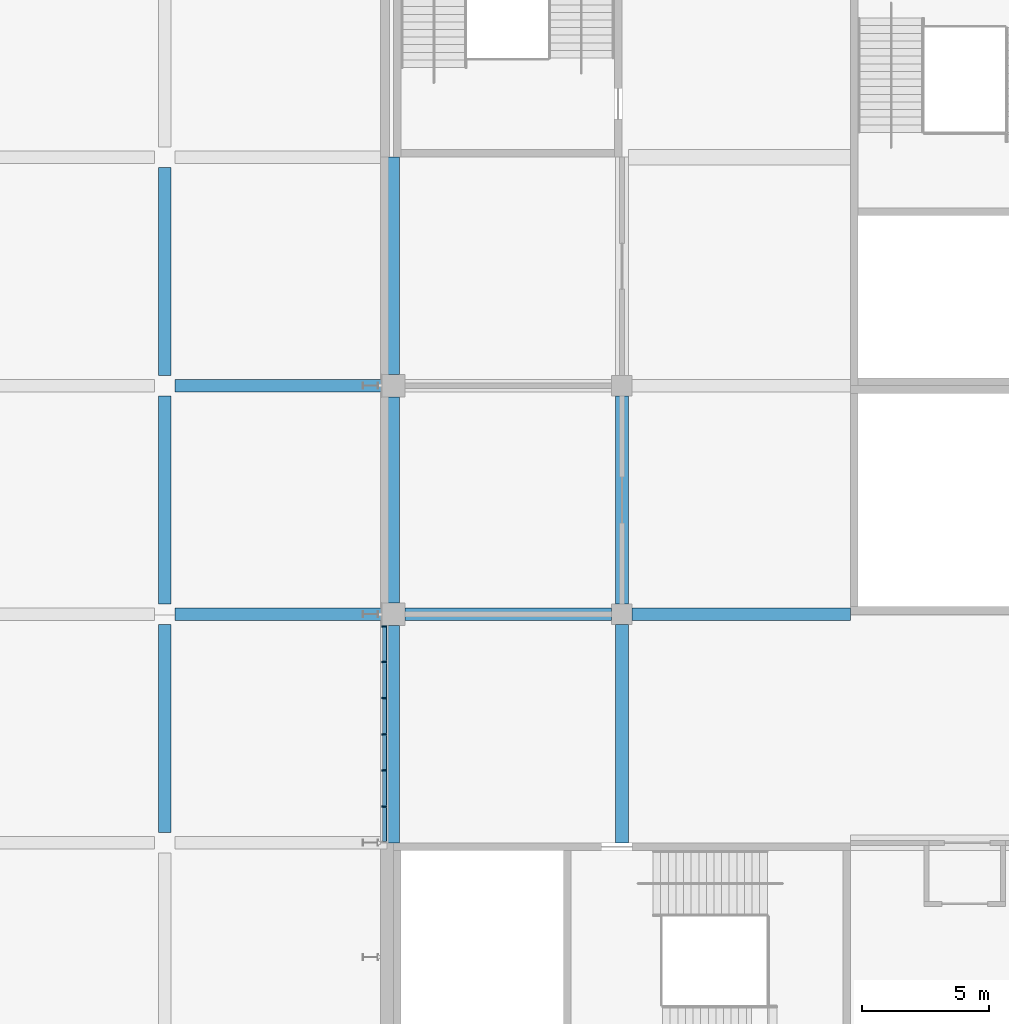
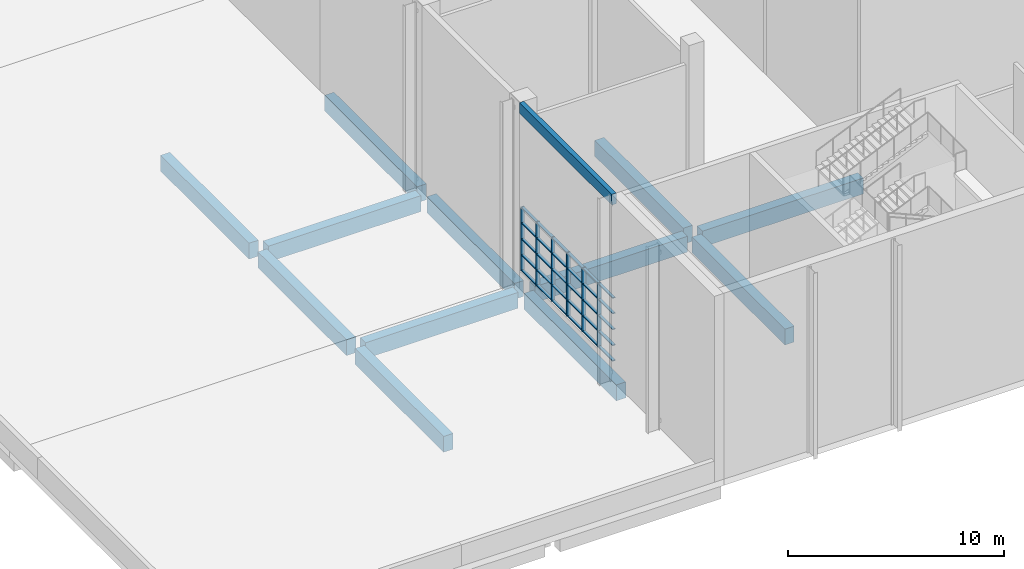
# One storey, part 15 of 182: 36 members, 13 beams, 1 element without a shape of its own.
"""IFC4 building model written with IfcOpenShell, lengths in metres."""

import ifcopenshell
import ifcopenshell.guid

model = None  # the IFC model being written
_history = None  # IfcOwnerHistory: only IFC2X3 demands one
_inside = {}  # id of a spatial element -> (the spatial element, [elements in it])
_under = {}  # id of a project, library or spatial element -> (it, [spatial elements below it])
_declared = {}  # id of a project -> (the project, [libraries it declares])
_typed = {}  # id of a type object -> (the type object, [elements of that type])
_made_of = {}  # id of a material, layer set ... -> (it, [elements and type objects made of it])


def new_model(schema):
    """Start an empty IFC model of exactly this schema.

    Asked for "IFC4X3", IfcOpenShell would pick the latest addendum, in which some entities
    have other attributes; the version numbers below select the first issue.
    IFC2X3 requires an IfcOwnerHistory on every rooted entity: one is made here for all.
    """
    global model, _history
    if schema == "IFC4X3":
        model = ifcopenshell.file(schema_version=(4, 3, 0, 0))
    else:
        model = ifcopenshell.file(schema=schema)
    _inside.clear()
    _under.clear()
    _declared.clear()
    _typed.clear()
    _made_of.clear()
    _history = None
    if model.schema == "IFC2X3":
        org = make("IfcOrganization", Name="unknown")
        user = make(
            "IfcPersonAndOrganization",
            ThePerson=make("IfcPerson", FamilyName="unknown"),
            TheOrganization=org,
        )
        app = make(
            "IfcApplication",
            ApplicationDeveloper=org,
            Version="unknown",
            ApplicationFullName="unknown",
            ApplicationIdentifier="unknown",
        )
        _history = make(
            "IfcOwnerHistory",
            OwningUser=user,
            OwningApplication=app,
            ChangeAction="ADDED",
            CreationDate=0,
        )
    return model


def make(cls, **values):
    """One entity of the class cls with the attributes given. An attribute that is None is left unset."""
    return model.create_entity(
        cls, **{name: value for name, value in values.items() if value is not None}
    )


def rooted(cls, **values):
    """An entity with a GlobalId (a new one), such as an element, a storey or a relation."""
    return make(cls, GlobalId=ifcopenshell.guid.new(), OwnerHistory=_history, **values)


def si_unit(unit_type, name, prefix=None):
    """IfcSIUnit, for example si_unit("LENGTHUNIT", "METRE", prefix="MILLI")."""
    return make("IfcSIUnit", UnitType=unit_type, Prefix=prefix, Name=name)


def assignment(units):
    """IfcUnitAssignment: the units of a project."""
    return None if units is None else make("IfcUnitAssignment", Units=units)


def point(xyz):
    """IfcCartesianPoint."""
    return None if xyz is None else make("IfcCartesianPoint", Coordinates=xyz)


def direction(xyz):
    """IfcDirection."""
    return None if xyz is None else make("IfcDirection", DirectionRatios=xyz)


def frame(location, z_axis=None, x_axis=None):
    """IfcAxis2Placement3D, a coordinate frame: its origin and axes. An axis left out is left unset."""
    return make(
        "IfcAxis2Placement3D",
        Location=point(location),
        Axis=direction(z_axis),
        RefDirection=direction(x_axis),
    )


def frame_2d(location, x_axis=None):
    """IfcAxis2Placement2D, a coordinate frame in the plane: its origin and x axis."""
    return make(
        "IfcAxis2Placement2D", Location=point(location), RefDirection=direction(x_axis)
    )


def origin():
    """The frame at (0, 0, 0) with its axes left unset."""
    return frame((0.0, 0.0, 0.0))


def origin_2d():
    """The frame at (0, 0) in the plane with its x axis left unset."""
    return frame_2d((0.0, 0.0))


def place(relative_to, where):
    """IfcLocalPlacement: puts the frame where relative to a parent placement (None: the world)."""
    return make(
        "IfcLocalPlacement", PlacementRelTo=relative_to, RelativePlacement=where
    )


def context(
    kind, dimensions, precision=None, world=None, true_north=None, identifier=None
):
    """IfcGeometricRepresentationContext, for example the 3D "Model" context."""
    return make(
        "IfcGeometricRepresentationContext",
        ContextIdentifier=identifier,
        ContextType=kind,
        CoordinateSpaceDimension=dimensions,
        Precision=precision,
        WorldCoordinateSystem=world,
        TrueNorth=true_north,
    )


def subcontext(parent, identifier, kind, view, scale=None):
    """IfcGeometricRepresentationSubContext, for example "Body" below "Model"."""
    return make(
        "IfcGeometricRepresentationSubContext",
        ContextIdentifier=identifier,
        ContextType=kind,
        ParentContext=parent,
        TargetScale=scale,
        TargetView=view,
    )


def project(units=None, contexts=None):
    """IfcProject with its units and contexts."""
    return rooted(
        "IfcProject",
        Name="project",
        RepresentationContexts=contexts,
        UnitsInContext=assignment(units),
    )


def spatial(cls, under=None, at=None, **own):
    """A site, building, storey or space (cls), placed at a placement, below another one or the project."""
    s = rooted(cls, ObjectPlacement=at, **own)
    if under is not None:
        _under.setdefault(under.id(), (under, []))[1].append(s)
    return s


def profile(cls, at=None, kind="AREA", **sizes):
    """A parametric profile (cls). Its sizes go by their IFC names, for example OverallWidth=200.0."""
    return make(cls, ProfileType=kind, Position=at, **sizes)


def rectangle(**sizes):
    """IfcRectangleProfileDef."""
    return profile("IfcRectangleProfileDef", **sizes)


def extrude(swept, where, along, depth):
    """IfcExtrudedAreaSolid: the profile swept, set in the frame where, extruded along a direction by depth."""
    return make(
        "IfcExtrudedAreaSolid",
        SweptArea=swept,
        Position=where,
        ExtrudedDirection=direction(along),
        Depth=depth,
    )


def shape(context_of_items, identifier, shape_type, items):
    """IfcShapeRepresentation: the items that make up one representation, for example the "Body"."""
    return make(
        "IfcShapeRepresentation",
        ContextOfItems=context_of_items,
        RepresentationIdentifier=identifier,
        RepresentationType=shape_type,
        Items=items,
    )


def material(Name=None, Category=None):
    """IfcMaterial."""
    return make("IfcMaterial", Name=Name, Category=Category)


def material_profile(
    of_material, cross_section, Name=None, Category=None, Priority=None
):
    """IfcMaterialProfile: a cross section and its material."""
    return make(
        "IfcMaterialProfile",
        Name=Name,
        Material=of_material,
        Profile=cross_section,
        Priority=Priority,
        Category=Category,
    )


def profile_set(profiles, Name=None, composite=None):
    """IfcMaterialProfileSet."""
    return make(
        "IfcMaterialProfileSet",
        Name=Name,
        MaterialProfiles=profiles,
        CompositeProfile=composite,
    )


def made_of(thing, what):
    """Note that an element or type object is made of a material, layer set ...; save() writes the relation."""
    if what is not None:
        _made_of.setdefault(what.id(), (what, []))[1].append(thing)
    return thing


def type_object(cls, material=None, **own):
    """A type object (cls), such as IfcWallType, which elements share."""
    return made_of(rooted(cls, **own), material)


def element(
    cls,
    number,
    at=None,
    inside=None,
    cuts=None,
    type_object=None,
    material=None,
    context=None,
    identifier="Body",
    shape_type=None,
    held_by="IfcProductDefinitionShape",
    body=None,
    shapes=None,
    **own,
):
    """One element of the class cls, such as IfcWall. Its Tag is "e" and its number.

    at: its placement. inside: the storey or other place that contains it. cuts: it is an
    opening in that element (IfcRelVoidsElement). A single representation is given by context,
    identifier, shape_type and body (its items); several are given by shapes. held_by: the class
    of the entity that holds the representations. save() writes the other relations.
    """
    e = rooted(cls, Tag="e%d" % number, ObjectPlacement=at, **own)
    if body is not None:
        shapes = [shape(context, identifier, shape_type, body)]
    if shapes is not None:
        e.Representation = make(held_by, Representations=shapes)
    if inside is not None:
        _inside.setdefault(inside.id(), (inside, []))[1].append(e)
    if cuts is not None:
        rooted(
            "IfcRelVoidsElement", RelatingBuildingElement=cuts, RelatedOpeningElement=e
        )
    if type_object is not None:
        _typed.setdefault(type_object.id(), (type_object, []))[1].append(e)
    return made_of(e, material)


def aggregate(whole, parts):
    """IfcRelAggregates: a whole, such as a stair, and the parts it consists of."""
    return rooted("IfcRelAggregates", RelatingObject=whole, RelatedObjects=parts)


def save(model, path):
    """Write the relations noted so far, then the file.

    IfcRelAggregates (storeys below a building ...), IfcRelContainedInSpatialStructure (elements
    in a storey), IfcRelDefinesByType, IfcRelAssociatesMaterial and IfcRelDeclares: one each for
    every whole, place, type object, material and project.
    """
    for whole, parts in _under.values():
        aggregate(whole, parts)
    for where, things in _inside.values():
        rooted(
            "IfcRelContainedInSpatialStructure",
            RelatedElements=things,
            RelatingStructure=where,
        )
    for kind, things in _typed.values():
        rooted("IfcRelDefinesByType", RelatedObjects=things, RelatingType=kind)
    for what, things in _made_of.values():
        rooted("IfcRelAssociatesMaterial", RelatedObjects=things, RelatingMaterial=what)
    for by, libraries in _declared.values():
        rooted("IfcRelDeclares", RelatingContext=by, RelatedDefinitions=libraries)
    model.write(path)


model = new_model("IFC4")

# Units and contexts
model_context = context("Model", 3, precision=1e-05, world=origin(), true_north=direction((0.0, 1.0)))
body_context = subcontext(model_context, "Body", "Model", "MODEL_VIEW")
ifc_project = project(units=[si_unit("LENGTHUNIT", "METRE"), si_unit("AREAUNIT", "SQUARE_METRE"), si_unit("VOLUMEUNIT", "CUBIC_METRE"), si_unit("PLANEANGLEUNIT", "RADIAN"), si_unit("MASSUNIT", "GRAM", prefix="KILO")], contexts=[model_context])

# Site, building, storey
site_placement = place(None, origin())
site = spatial("IfcSite", under=ifc_project, at=site_placement, CompositionType="ELEMENT")
building_placement = place(site_placement, origin())
building = spatial("IfcBuilding", under=site, at=building_placement, Name="Silverbay Arena", CompositionType="ELEMENT")
storey_placement = place(building_placement, frame((0.0, 0.0, 11.5)))
storey = spatial("IfcBuildingStorey", under=building, at=storey_placement, Name="L02", CompositionType="ELEMENT", Elevation=11.5)

# Curtain wall, members
ifc_material_1 = material(Name="Aluminium framed curtain wall", Category="aluminium")
curtain_wall_type = type_object("IfcCurtainWallType", Name="Curtain wall 8550 x 3600", PredefinedType="NOTDEFINED", material=ifc_material_1)
curtain_wall_placement = place(storey_placement, origin())
curtain_wall = element("IfcCurtainWall", 1, at=curtain_wall_placement, inside=storey, type_object=curtain_wall_type, Name="West curtain wall L02 bay 2", PredefinedType="NOTDEFINED")
ifc_material_2 = material(Name="Aluminium", Category="aluminium")
ifc_material_profile_1 = material_profile(ifc_material_2, rectangle(XDim=0.199951171875, YDim=0.06005859375, at=origin_2d()), Name="Mullion 60 x 200")
ifc_profile_set_1 = profile_set([ifc_material_profile_1], Name="Aluminium")
member_type_1 = type_object("IfcMemberType", Name="Mullion 60 x 200", PredefinedType="MULLION", material=ifc_profile_set_1)
member_1_placement = place(storey_placement, frame((53.64990234375, 35.52001953125, 1.0), z_axis=(0.0, 0.0, 1.0), x_axis=(1.0, 0.0, 0.0)))
member_1 = element("IfcMember", 2, at=member_1_placement, type_object=member_type_1, Name="CW10 mullion 1", PredefinedType="MULLION", context=body_context, shape_type="SweptSolid", body=[
    extrude(rectangle(XDim=0.199951171875, YDim=0.06005859375, at=origin_2d()), origin(), (0.0, 0.0, 1.0), 3.60009765625),
])
member_2_placement = place(storey_placement, frame((53.64990234375, 34.125, 1.0), z_axis=(0.0, 0.0, 1.0), x_axis=(1.0, 0.0, 0.0)))
member_2 = element("IfcMember", 3, at=member_2_placement, type_object=member_type_1, Name="CW10 mullion 2", PredefinedType="MULLION", context=body_context, shape_type="SweptSolid", body=[
    extrude(rectangle(XDim=0.199951171875, YDim=0.06005859375, at=origin_2d()), origin(), (0.0, 0.0, 1.0), 3.60009765625),
])
member_3_placement = place(storey_placement, frame((53.64990234375, 32.699951171875, 1.0), z_axis=(0.0, 0.0, 1.0), x_axis=(1.0, 0.0, 0.0)))
member_3 = element("IfcMember", 4, at=member_3_placement, type_object=member_type_1, Name="CW10 mullion 3", PredefinedType="MULLION", context=body_context, shape_type="SweptSolid", body=[
    extrude(rectangle(XDim=0.199951171875, YDim=0.06005859375, at=origin_2d()), origin(), (0.0, 0.0, 1.0), 3.60009765625),
])
member_4_placement = place(storey_placement, frame((53.64990234375, 31.27490234375, 1.0), z_axis=(0.0, 0.0, 1.0), x_axis=(1.0, 0.0, 0.0)))
member_4 = element("IfcMember", 5, at=member_4_placement, type_object=member_type_1, Name="CW10 mullion 4", PredefinedType="MULLION", context=body_context, shape_type="SweptSolid", body=[
    extrude(rectangle(XDim=0.199951171875, YDim=0.06005859375, at=origin_2d()), origin(), (0.0, 0.0, 1.0), 3.60009765625),
])
member_5_placement = place(storey_placement, frame((53.64990234375, 29.85009765625, 1.0), z_axis=(0.0, 0.0, 1.0), x_axis=(1.0, 0.0, 0.0)))
member_5 = element("IfcMember", 6, at=member_5_placement, type_object=member_type_1, Name="CW10 mullion 5", PredefinedType="MULLION", context=body_context, shape_type="SweptSolid", body=[
    extrude(rectangle(XDim=0.199951171875, YDim=0.06005859375, at=origin_2d()), origin(), (0.0, 0.0, 1.0), 3.60009765625),
])
member_6_placement = place(storey_placement, frame((53.64990234375, 28.425048828125, 1.0), z_axis=(0.0, 0.0, 1.0), x_axis=(1.0, 0.0, 0.0)))
member_6 = element("IfcMember", 7, at=member_6_placement, type_object=member_type_1, Name="CW10 mullion 6", PredefinedType="MULLION", context=body_context, shape_type="SweptSolid", body=[
    extrude(rectangle(XDim=0.199951171875, YDim=0.06005859375, at=origin_2d()), origin(), (0.0, 0.0, 1.0), 3.60009765625),
])

# Beams
ifc_material_3 = material(Name="Concrete Grade C45", Category="concrete")
ifc_material_profile_2 = material_profile(ifc_material_3, rectangle(XDim=0.5, YDim=0.89990234375, at=origin_2d()), Name="RC 500x900")
ifc_profile_set_2 = profile_set([ifc_material_profile_2], Name="Concrete Grade C45")
beam_type_1 = type_object("IfcBeamType", Name="RC beam 500x900", PredefinedType="BEAM", material=ifc_profile_set_2)
for number, where, z_axis, x_axis, name in (
    (8, (45.39990234375, 36.0, -0.800048828125), (1.0, 0.0, 0.0), (0.0, 1.0, 0.0), "Floor beam L02 020"),
    (9, (54.449951171875, 36.0, -0.800048828125), (1.0, 0.0, 0.0), (0.0, 1.0, 0.0), "Floor beam L02 021"),
):
    element("IfcBeam", number, at=place(storey_placement, frame(where, z_axis=z_axis, x_axis=x_axis)), inside=storey, type_object=beam_type_1, Name=name, PredefinedType="BEAM", context=body_context, shape_type="SweptSolid", body=[
        extrude(rectangle(XDim=0.5, YDim=0.89990234375, at=origin_2d()), origin(), (0.0, 0.0, 1.0), 8.150146484375),
    ])
beam_1_placement = place(storey_placement, frame((63.39990234375, 36.0, -0.800048828125), z_axis=(1.0, 0.0, 0.0), x_axis=(0.0, 1.0, 0.0)))
element("IfcBeam", 10, at=beam_1_placement, inside=storey, type_object=beam_type_1, Name="Floor beam L02 022", PredefinedType="BEAM", context=body_context, shape_type="SweptSolid", body=[
    extrude(rectangle(XDim=0.5, YDim=0.89990234375, at=origin_2d()), origin(), (0.0, 0.0, 1.0), 8.60009765625),
])
beam_2_placement = place(storey_placement, frame((45.39990234375, 45.0, -0.800048828125), z_axis=(1.0, 0.0, 0.0), x_axis=(0.0, 1.0, 0.0)))
element("IfcBeam", 11, at=beam_2_placement, inside=storey, type_object=beam_type_1, Name="Floor beam L02 029", PredefinedType="BEAM", context=body_context, shape_type="SweptSolid", body=[
    extrude(rectangle(XDim=0.5, YDim=0.89990234375, at=origin_2d()), origin(), (0.0, 0.0, 1.0), 8.150146484375),
])
for number, where, z_axis, x_axis, name in (
    (12, (45.0, 27.39990234375, -0.800048828125), (0.0, 1.0, 0.0), (-1.0, 0.0, 0.0), "Floor beam L02 202"),
    (13, (45.0, 36.39990234375, -0.800048828125), (0.0, 1.0, 0.0), (-1.0, 0.0, 0.0), "Floor beam L02 203"),
    (14, (45.0, 45.39990234375, -0.800048828125), (0.0, 1.0, 0.0), (-1.0, 0.0, 0.0), "Floor beam L02 204"),
):
    element("IfcBeam", number, at=place(storey_placement, frame(where, z_axis=z_axis, x_axis=x_axis)), inside=storey, type_object=beam_type_1, Name=name, PredefinedType="BEAM", context=body_context, shape_type="SweptSolid", body=[
        extrude(rectangle(XDim=0.5, YDim=0.89990234375, at=origin_2d()), origin(), (0.0, 0.0, 1.0), 8.2001953125),
    ])
beam_3_placement = place(storey_placement, frame((54.0, 27.0, -0.800048828125), z_axis=(0.0, 1.0, 0.0), x_axis=(-1.0, 0.0, 0.0)))
element("IfcBeam", 15, at=beam_3_placement, inside=storey, type_object=beam_type_1, Name="Floor beam L02 215", PredefinedType="BEAM", context=body_context, shape_type="SweptSolid", body=[
    extrude(rectangle(XDim=0.5, YDim=0.89990234375, at=origin_2d()), origin(), (0.0, 0.0, 1.0), 8.550048828125),
])
beam_4_placement = place(storey_placement, frame((54.0, 36.449951171875, -0.800048828125), z_axis=(0.0, 1.0, 0.0), x_axis=(-1.0, 0.0, 0.0)))
element("IfcBeam", 16, at=beam_4_placement, inside=storey, type_object=beam_type_1, Name="Floor beam L02 216", PredefinedType="BEAM", context=body_context, shape_type="SweptSolid", body=[
    extrude(rectangle(XDim=0.5, YDim=0.89990234375, at=origin_2d()), origin(), (0.0, 0.0, 1.0), 8.10009765625),
])
beam_5_placement = place(storey_placement, frame((54.0, 45.449951171875, -0.800048828125), z_axis=(0.0, 1.0, 0.0), x_axis=(-1.0, 0.0, 0.0)))
element("IfcBeam", 17, at=beam_5_placement, inside=storey, type_object=beam_type_1, Name="Floor beam L02 217", PredefinedType="BEAM", context=body_context, shape_type="SweptSolid", body=[
    extrude(rectangle(XDim=0.5, YDim=0.89990234375, at=origin_2d()), origin(), (0.0, 0.0, 1.0), 8.550048828125),
])
beam_6_placement = place(storey_placement, frame((63.0, 27.0, -0.800048828125), z_axis=(0.0, 1.0, 0.0), x_axis=(-1.0, 0.0, 0.0)))
element("IfcBeam", 18, at=beam_6_placement, inside=storey, type_object=beam_type_1, Name="Floor beam L02 223", PredefinedType="BEAM", context=body_context, shape_type="SweptSolid", body=[
    extrude(rectangle(XDim=0.5, YDim=0.89990234375, at=origin_2d()), origin(), (0.0, 0.0, 1.0), 8.60009765625),
])
beam_7_placement = place(storey_placement, frame((63.0, 36.39990234375, -0.800048828125), z_axis=(0.0, 1.0, 0.0), x_axis=(-1.0, 0.0, 0.0)))
element("IfcBeam", 19, at=beam_7_placement, inside=storey, type_object=beam_type_1, Name="Floor beam L02 224", PredefinedType="BEAM", context=body_context, shape_type="SweptSolid", body=[
    extrude(rectangle(XDim=0.5, YDim=0.89990234375, at=origin_2d()), origin(), (0.0, 0.0, 1.0), 8.2001953125),
])
ifc_material_4 = material(Name="Concrete Grade C45", Category="concrete")
ifc_material_profile_3 = material_profile(ifc_material_4, rectangle(XDim=0.25, YDim=0.60009765625, at=origin_2d()), Name="RC 250x600")
ifc_profile_set_3 = profile_set([ifc_material_profile_3], Name="Concrete Grade C45")
beam_type_2 = type_object("IfcBeamType", Name="RC facade beam 250x600", PredefinedType="SPANDREL", material=ifc_profile_set_3)
beam_8_placement = place(storey_placement, frame((53.625, 27.0, 10.199951171875), z_axis=(0.0, 1.0, 0.0), x_axis=(-1.0, 0.0, 0.0)))
element("IfcBeam", 20, at=beam_8_placement, inside=storey, type_object=beam_type_2, Name="Facade beam L02 west", PredefinedType="SPANDREL", context=body_context, shape_type="SweptSolid", body=[
    extrude(rectangle(XDim=0.25, YDim=0.60009765625, at=origin_2d()), origin(), (0.0, 0.0, 1.0), 8.550048828125),
])

# Member
ifc_material_5 = material(Name="Aluminium", Category="aluminium")
ifc_material_profile_4 = material_profile(ifc_material_5, rectangle(XDim=0.14990234375, YDim=0.050048828125, at=origin_2d()), Name="Transom 50 x 150")
ifc_profile_set_4 = profile_set([ifc_material_profile_4], Name="Aluminium")
member_type_2 = type_object("IfcMemberType", Name="Transom 50 x 150", PredefinedType="USERDEFINED", material=ifc_profile_set_4)
member_7_placement = place(storey_placement, frame((53.64990234375, 35.489990234375, 1.02490234375), z_axis=(0.0, -1.0, 0.0), x_axis=(1.0, 0.0, 0.0)))
member_7 = element("IfcMember", 21, at=member_7_placement, type_object=member_type_2, Name="CW10 transom 1.1", ObjectType="TRANSOM", PredefinedType="USERDEFINED", context=body_context, shape_type="SweptSolid", body=[
    extrude(rectangle(XDim=0.14990234375, YDim=0.050048828125, at=origin_2d()), origin(), (0.0, 0.0, 1.0), 1.3349609375),
])

member_8_placement = place(storey_placement, frame((53.64990234375, 35.489990234375, 1.89990234375), z_axis=(0.0, -1.0, 0.0), x_axis=(1.0, 0.0, 0.0)))
member_8 = element("IfcMember", 22, at=member_8_placement, type_object=member_type_2, Name="CW10 transom 1.2", ObjectType="TRANSOM", PredefinedType="USERDEFINED", context=body_context, shape_type="SweptSolid", body=[
    extrude(rectangle(XDim=0.14990234375, YDim=0.050048828125, at=origin_2d()), origin(), (0.0, 0.0, 1.0), 1.3349609375),
])

member_9_placement = place(storey_placement, frame((53.64990234375, 35.489990234375, 2.800048828125), z_axis=(0.0, -1.0, 0.0), x_axis=(1.0, 0.0, 0.0)))
member_9 = element("IfcMember", 23, at=member_9_placement, type_object=member_type_2, Name="CW10 transom 1.3", ObjectType="TRANSOM", PredefinedType="USERDEFINED", context=body_context, shape_type="SweptSolid", body=[
    extrude(rectangle(XDim=0.14990234375, YDim=0.050048828125, at=origin_2d()), origin(), (0.0, 0.0, 1.0), 1.3349609375),
])

member_10_placement = place(storey_placement, frame((53.64990234375, 35.489990234375, 3.699951171875), z_axis=(0.0, -1.0, 0.0), x_axis=(1.0, 0.0, 0.0)))
member_10 = element("IfcMember", 24, at=member_10_placement, type_object=member_type_2, Name="CW10 transom 1.4", ObjectType="TRANSOM", PredefinedType="USERDEFINED", context=body_context, shape_type="SweptSolid", body=[
    extrude(rectangle(XDim=0.14990234375, YDim=0.050048828125, at=origin_2d()), origin(), (0.0, 0.0, 1.0), 1.3349609375),
])

member_11_placement = place(storey_placement, frame((53.64990234375, 35.489990234375, 4.574951171875), z_axis=(0.0, -1.0, 0.0), x_axis=(1.0, 0.0, 0.0)))
member_11 = element("IfcMember", 25, at=member_11_placement, type_object=member_type_2, Name="CW10 transom 1.5", ObjectType="TRANSOM", PredefinedType="USERDEFINED", context=body_context, shape_type="SweptSolid", body=[
    extrude(rectangle(XDim=0.14990234375, YDim=0.050048828125, at=origin_2d()), origin(), (0.0, 0.0, 1.0), 1.3349609375),
])

member_12_placement = place(storey_placement, frame((53.64990234375, 34.094970703125, 1.02490234375), z_axis=(0.0, -1.0, 0.0), x_axis=(1.0, 0.0, 0.0)))
member_12 = element("IfcMember", 26, at=member_12_placement, type_object=member_type_2, Name="CW10 transom 2.1", ObjectType="TRANSOM", PredefinedType="USERDEFINED", context=body_context, shape_type="SweptSolid", body=[
    extrude(rectangle(XDim=0.14990234375, YDim=0.050048828125, at=origin_2d()), origin(), (0.0, 0.0, 1.0), 1.364990234375),
])

member_13_placement = place(storey_placement, frame((53.64990234375, 34.094970703125, 1.89990234375), z_axis=(0.0, -1.0, 0.0), x_axis=(1.0, 0.0, 0.0)))
member_13 = element("IfcMember", 27, at=member_13_placement, type_object=member_type_2, Name="CW10 transom 2.2", ObjectType="TRANSOM", PredefinedType="USERDEFINED", context=body_context, shape_type="SweptSolid", body=[
    extrude(rectangle(XDim=0.14990234375, YDim=0.050048828125, at=origin_2d()), origin(), (0.0, 0.0, 1.0), 1.364990234375),
])

member_14_placement = place(storey_placement, frame((53.64990234375, 34.094970703125, 2.800048828125), z_axis=(0.0, -1.0, 0.0), x_axis=(1.0, 0.0, 0.0)))
member_14 = element("IfcMember", 28, at=member_14_placement, type_object=member_type_2, Name="CW10 transom 2.3", ObjectType="TRANSOM", PredefinedType="USERDEFINED", context=body_context, shape_type="SweptSolid", body=[
    extrude(rectangle(XDim=0.14990234375, YDim=0.050048828125, at=origin_2d()), origin(), (0.0, 0.0, 1.0), 1.364990234375),
])

member_15_placement = place(storey_placement, frame((53.64990234375, 34.094970703125, 3.699951171875), z_axis=(0.0, -1.0, 0.0), x_axis=(1.0, 0.0, 0.0)))
member_15 = element("IfcMember", 29, at=member_15_placement, type_object=member_type_2, Name="CW10 transom 2.4", ObjectType="TRANSOM", PredefinedType="USERDEFINED", context=body_context, shape_type="SweptSolid", body=[
    extrude(rectangle(XDim=0.14990234375, YDim=0.050048828125, at=origin_2d()), origin(), (0.0, 0.0, 1.0), 1.364990234375),
])

member_16_placement = place(storey_placement, frame((53.64990234375, 34.094970703125, 4.574951171875), z_axis=(0.0, -1.0, 0.0), x_axis=(1.0, 0.0, 0.0)))
member_16 = element("IfcMember", 30, at=member_16_placement, type_object=member_type_2, Name="CW10 transom 2.5", ObjectType="TRANSOM", PredefinedType="USERDEFINED", context=body_context, shape_type="SweptSolid", body=[
    extrude(rectangle(XDim=0.14990234375, YDim=0.050048828125, at=origin_2d()), origin(), (0.0, 0.0, 1.0), 1.364990234375),
])

member_17_placement = place(storey_placement, frame((53.64990234375, 32.669921875, 1.02490234375), z_axis=(0.0, -1.0, 0.0), x_axis=(1.0, 0.0, 0.0)))
member_17 = element("IfcMember", 31, at=member_17_placement, type_object=member_type_2, Name="CW10 transom 3.1", ObjectType="TRANSOM", PredefinedType="USERDEFINED", context=body_context, shape_type="SweptSolid", body=[
    extrude(rectangle(XDim=0.14990234375, YDim=0.050048828125, at=origin_2d()), origin(), (0.0, 0.0, 1.0), 1.364990234375),
])

member_18_placement = place(storey_placement, frame((53.64990234375, 32.669921875, 1.89990234375), z_axis=(0.0, -1.0, 0.0), x_axis=(1.0, 0.0, 0.0)))
member_18 = element("IfcMember", 32, at=member_18_placement, type_object=member_type_2, Name="CW10 transom 3.2", ObjectType="TRANSOM", PredefinedType="USERDEFINED", context=body_context, shape_type="SweptSolid", body=[
    extrude(rectangle(XDim=0.14990234375, YDim=0.050048828125, at=origin_2d()), origin(), (0.0, 0.0, 1.0), 1.364990234375),
])

member_19_placement = place(storey_placement, frame((53.64990234375, 32.669921875, 2.800048828125), z_axis=(0.0, -1.0, 0.0), x_axis=(1.0, 0.0, 0.0)))
member_19 = element("IfcMember", 33, at=member_19_placement, type_object=member_type_2, Name="CW10 transom 3.3", ObjectType="TRANSOM", PredefinedType="USERDEFINED", context=body_context, shape_type="SweptSolid", body=[
    extrude(rectangle(XDim=0.14990234375, YDim=0.050048828125, at=origin_2d()), origin(), (0.0, 0.0, 1.0), 1.364990234375),
])

member_20_placement = place(storey_placement, frame((53.64990234375, 32.669921875, 3.699951171875), z_axis=(0.0, -1.0, 0.0), x_axis=(1.0, 0.0, 0.0)))
member_20 = element("IfcMember", 34, at=member_20_placement, type_object=member_type_2, Name="CW10 transom 3.4", ObjectType="TRANSOM", PredefinedType="USERDEFINED", context=body_context, shape_type="SweptSolid", body=[
    extrude(rectangle(XDim=0.14990234375, YDim=0.050048828125, at=origin_2d()), origin(), (0.0, 0.0, 1.0), 1.364990234375),
])

member_21_placement = place(storey_placement, frame((53.64990234375, 32.669921875, 4.574951171875), z_axis=(0.0, -1.0, 0.0), x_axis=(1.0, 0.0, 0.0)))
member_21 = element("IfcMember", 35, at=member_21_placement, type_object=member_type_2, Name="CW10 transom 3.5", ObjectType="TRANSOM", PredefinedType="USERDEFINED", context=body_context, shape_type="SweptSolid", body=[
    extrude(rectangle(XDim=0.14990234375, YDim=0.050048828125, at=origin_2d()), origin(), (0.0, 0.0, 1.0), 1.364990234375),
])

member_22_placement = place(storey_placement, frame((53.64990234375, 31.2451171875, 1.02490234375), z_axis=(0.0, -1.0, 0.0), x_axis=(1.0, 0.0, 0.0)))
member_22 = element("IfcMember", 36, at=member_22_placement, type_object=member_type_2, Name="CW10 transom 4.1", ObjectType="TRANSOM", PredefinedType="USERDEFINED", context=body_context, shape_type="SweptSolid", body=[
    extrude(rectangle(XDim=0.14990234375, YDim=0.050048828125, at=origin_2d()), origin(), (0.0, 0.0, 1.0), 1.365234375),
])

member_23_placement = place(storey_placement, frame((53.64990234375, 31.2451171875, 1.89990234375), z_axis=(0.0, -1.0, 0.0), x_axis=(1.0, 0.0, 0.0)))
member_23 = element("IfcMember", 37, at=member_23_placement, type_object=member_type_2, Name="CW10 transom 4.2", ObjectType="TRANSOM", PredefinedType="USERDEFINED", context=body_context, shape_type="SweptSolid", body=[
    extrude(rectangle(XDim=0.14990234375, YDim=0.050048828125, at=origin_2d()), origin(), (0.0, 0.0, 1.0), 1.365234375),
])

member_24_placement = place(storey_placement, frame((53.64990234375, 31.2451171875, 2.800048828125), z_axis=(0.0, -1.0, 0.0), x_axis=(1.0, 0.0, 0.0)))
member_24 = element("IfcMember", 38, at=member_24_placement, type_object=member_type_2, Name="CW10 transom 4.3", ObjectType="TRANSOM", PredefinedType="USERDEFINED", context=body_context, shape_type="SweptSolid", body=[
    extrude(rectangle(XDim=0.14990234375, YDim=0.050048828125, at=origin_2d()), origin(), (0.0, 0.0, 1.0), 1.365234375),
])

member_25_placement = place(storey_placement, frame((53.64990234375, 31.2451171875, 3.699951171875), z_axis=(0.0, -1.0, 0.0), x_axis=(1.0, 0.0, 0.0)))
member_25 = element("IfcMember", 39, at=member_25_placement, type_object=member_type_2, Name="CW10 transom 4.4", ObjectType="TRANSOM", PredefinedType="USERDEFINED", context=body_context, shape_type="SweptSolid", body=[
    extrude(rectangle(XDim=0.14990234375, YDim=0.050048828125, at=origin_2d()), origin(), (0.0, 0.0, 1.0), 1.365234375),
])

member_26_placement = place(storey_placement, frame((53.64990234375, 31.2451171875, 4.574951171875), z_axis=(0.0, -1.0, 0.0), x_axis=(1.0, 0.0, 0.0)))
member_26 = element("IfcMember", 40, at=member_26_placement, type_object=member_type_2, Name="CW10 transom 4.5", ObjectType="TRANSOM", PredefinedType="USERDEFINED", context=body_context, shape_type="SweptSolid", body=[
    extrude(rectangle(XDim=0.14990234375, YDim=0.050048828125, at=origin_2d()), origin(), (0.0, 0.0, 1.0), 1.365234375),
])

member_27_placement = place(storey_placement, frame((53.64990234375, 29.820068359375, 1.02490234375), z_axis=(0.0, -1.0, 0.0), x_axis=(1.0, 0.0, 0.0)))
member_27 = element("IfcMember", 41, at=member_27_placement, type_object=member_type_2, Name="CW10 transom 5.1", ObjectType="TRANSOM", PredefinedType="USERDEFINED", context=body_context, shape_type="SweptSolid", body=[
    extrude(rectangle(XDim=0.14990234375, YDim=0.050048828125, at=origin_2d()), origin(), (0.0, 0.0, 1.0), 1.364990234375),
])

member_28_placement = place(storey_placement, frame((53.64990234375, 29.820068359375, 1.89990234375), z_axis=(0.0, -1.0, 0.0), x_axis=(1.0, 0.0, 0.0)))
member_28 = element("IfcMember", 42, at=member_28_placement, type_object=member_type_2, Name="CW10 transom 5.2", ObjectType="TRANSOM", PredefinedType="USERDEFINED", context=body_context, shape_type="SweptSolid", body=[
    extrude(rectangle(XDim=0.14990234375, YDim=0.050048828125, at=origin_2d()), origin(), (0.0, 0.0, 1.0), 1.364990234375),
])

member_29_placement = place(storey_placement, frame((53.64990234375, 29.820068359375, 2.800048828125), z_axis=(0.0, -1.0, 0.0), x_axis=(1.0, 0.0, 0.0)))
member_29 = element("IfcMember", 43, at=member_29_placement, type_object=member_type_2, Name="CW10 transom 5.3", ObjectType="TRANSOM", PredefinedType="USERDEFINED", context=body_context, shape_type="SweptSolid", body=[
    extrude(rectangle(XDim=0.14990234375, YDim=0.050048828125, at=origin_2d()), origin(), (0.0, 0.0, 1.0), 1.364990234375),
])

member_30_placement = place(storey_placement, frame((53.64990234375, 29.820068359375, 3.699951171875), z_axis=(0.0, -1.0, 0.0), x_axis=(1.0, 0.0, 0.0)))
member_30 = element("IfcMember", 44, at=member_30_placement, type_object=member_type_2, Name="CW10 transom 5.4", ObjectType="TRANSOM", PredefinedType="USERDEFINED", context=body_context, shape_type="SweptSolid", body=[
    extrude(rectangle(XDim=0.14990234375, YDim=0.050048828125, at=origin_2d()), origin(), (0.0, 0.0, 1.0), 1.364990234375),
])

member_31_placement = place(storey_placement, frame((53.64990234375, 29.820068359375, 4.574951171875), z_axis=(0.0, -1.0, 0.0), x_axis=(1.0, 0.0, 0.0)))
member_31 = element("IfcMember", 45, at=member_31_placement, type_object=member_type_2, Name="CW10 transom 5.5", ObjectType="TRANSOM", PredefinedType="USERDEFINED", context=body_context, shape_type="SweptSolid", body=[
    extrude(rectangle(XDim=0.14990234375, YDim=0.050048828125, at=origin_2d()), origin(), (0.0, 0.0, 1.0), 1.364990234375),
])

member_32_placement = place(storey_placement, frame((53.64990234375, 28.39501953125, 1.02490234375), z_axis=(0.0, -1.0, 0.0), x_axis=(1.0, 0.0, 0.0)))
member_32 = element("IfcMember", 46, at=member_32_placement, type_object=member_type_2, Name="CW10 transom 6.1", ObjectType="TRANSOM", PredefinedType="USERDEFINED", context=body_context, shape_type="SweptSolid", body=[
    extrude(rectangle(XDim=0.14990234375, YDim=0.050048828125, at=origin_2d()), origin(), (0.0, 0.0, 1.0), 1.3349609375),
])

member_33_placement = place(storey_placement, frame((53.64990234375, 28.39501953125, 1.89990234375), z_axis=(0.0, -1.0, 0.0), x_axis=(1.0, 0.0, 0.0)))
member_33 = element("IfcMember", 47, at=member_33_placement, type_object=member_type_2, Name="CW10 transom 6.2", ObjectType="TRANSOM", PredefinedType="USERDEFINED", context=body_context, shape_type="SweptSolid", body=[
    extrude(rectangle(XDim=0.14990234375, YDim=0.050048828125, at=origin_2d()), origin(), (0.0, 0.0, 1.0), 1.3349609375),
])

member_34_placement = place(storey_placement, frame((53.64990234375, 28.39501953125, 2.800048828125), z_axis=(0.0, -1.0, 0.0), x_axis=(1.0, 0.0, 0.0)))
member_34 = element("IfcMember", 48, at=member_34_placement, type_object=member_type_2, Name="CW10 transom 6.3", ObjectType="TRANSOM", PredefinedType="USERDEFINED", context=body_context, shape_type="SweptSolid", body=[
    extrude(rectangle(XDim=0.14990234375, YDim=0.050048828125, at=origin_2d()), origin(), (0.0, 0.0, 1.0), 1.3349609375),
])

member_35_placement = place(storey_placement, frame((53.64990234375, 28.39501953125, 3.699951171875), z_axis=(0.0, -1.0, 0.0), x_axis=(1.0, 0.0, 0.0)))
member_35 = element("IfcMember", 49, at=member_35_placement, type_object=member_type_2, Name="CW10 transom 6.4", ObjectType="TRANSOM", PredefinedType="USERDEFINED", context=body_context, shape_type="SweptSolid", body=[
    extrude(rectangle(XDim=0.14990234375, YDim=0.050048828125, at=origin_2d()), origin(), (0.0, 0.0, 1.0), 1.3349609375),
])

member_36_placement = place(storey_placement, frame((53.64990234375, 28.39501953125, 4.574951171875), z_axis=(0.0, -1.0, 0.0), x_axis=(1.0, 0.0, 0.0)))
member_36 = element("IfcMember", 50, at=member_36_placement, type_object=member_type_2, Name="CW10 transom 6.5", ObjectType="TRANSOM", PredefinedType="USERDEFINED", context=body_context, shape_type="SweptSolid", body=[
    extrude(rectangle(XDim=0.14990234375, YDim=0.050048828125, at=origin_2d()), origin(), (0.0, 0.0, 1.0), 1.3349609375),
])

aggregate(curtain_wall, [member_1, member_2, member_3, member_4, member_5, member_6, member_7, member_8, member_9, member_10, member_11, member_12, member_13, member_14, member_15, member_16, member_17, member_18, member_19, member_20, member_21, member_22, member_23, member_24, member_25, member_26, member_27, member_28, member_29, member_30, member_31, member_32, member_33, member_34, member_35, member_36])

save(model, "model.ifc")
